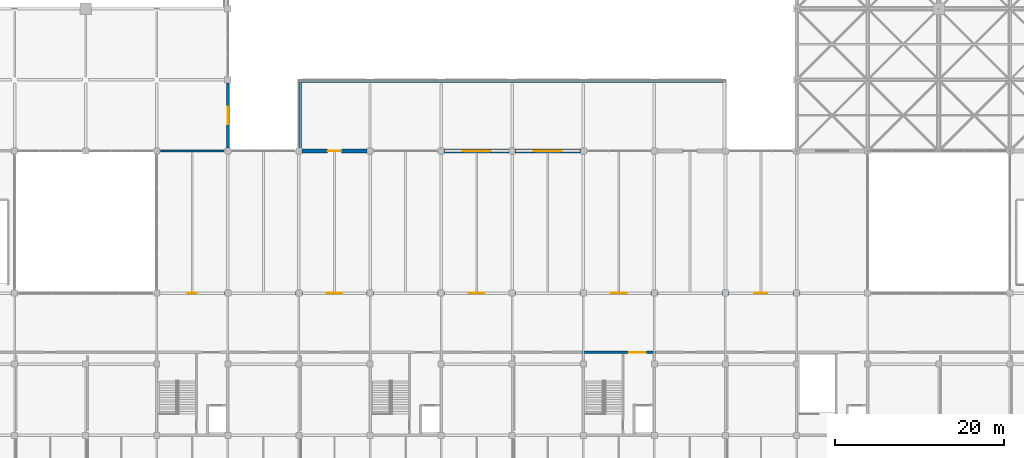
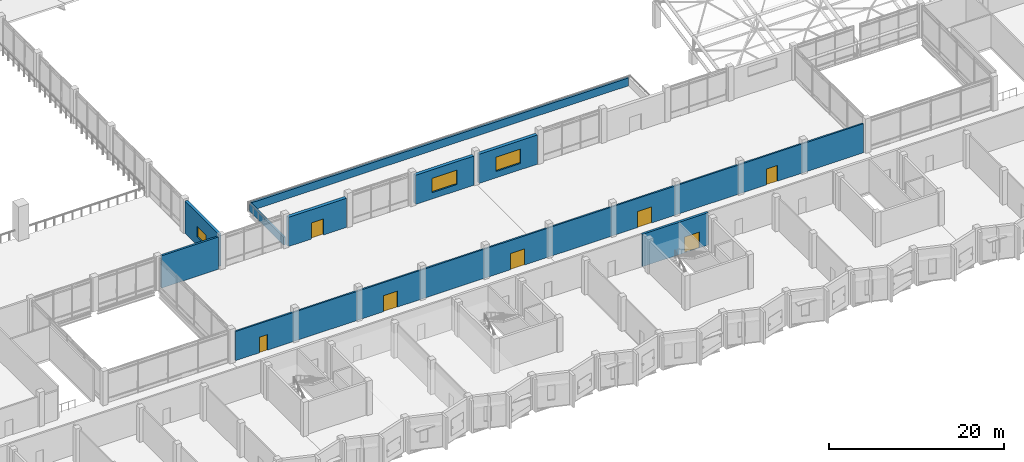
# One storey, part 87 of 110: 9 walls, 7 doors, 3 windows, 10 openings.
"""IFC4 building model written with IfcOpenShell, lengths in metres."""

from ifc_helpers import new_model, si_unit, direction, frame, frame_2d, origin, place, context, subcontext, project, spatial, rectangle, extrude, material, layer, layer_set, type_object, element, fill, save


model = new_model("IFC4")

# Units and contexts
model_context = context("Model", 3, precision=1e-05, world=origin(), true_north=direction((0.0, 1.0)))
body_context = subcontext(model_context, "Body", "Model", "MODEL_VIEW")
ifc_project = project(units=[si_unit("LENGTHUNIT", "METRE"), si_unit("AREAUNIT", "SQUARE_METRE"), si_unit("VOLUMEUNIT", "CUBIC_METRE"), si_unit("PLANEANGLEUNIT", "RADIAN"), si_unit("MASSUNIT", "GRAM", prefix="KILO")], contexts=[model_context])

# Site, building, storey
site_placement = place(None, origin())
site = spatial("IfcSite", under=ifc_project, at=site_placement, CompositionType="ELEMENT")
building_placement = place(site_placement, origin())
building = spatial("IfcBuilding", under=site, at=building_placement, Name="Qawsi Khor Wholesale Market", CompositionType="ELEMENT")
storey_placement = place(building_placement, frame((0.0, 0.0, 11.39990234375)))
storey = spatial("IfcBuildingStorey", under=building, at=storey_placement, Name="L02", CompositionType="ELEMENT", Elevation=11.39990234375)

# Wall, opening, door
ifc_material_1 = material(Name="Concrete C40/50", Category="concrete")
ifc_layer_1 = layer(ifc_material_1, 0.300048828125, Name="Concrete C40/50")
ifc_layer_set_1 = layer_set([ifc_layer_1], Name="Concrete C40/50")
wall_type_1 = type_object("IfcWallType", Name="Core Shear Wall RC 300 C40/50", PredefinedType="SHEAR", material=ifc_layer_set_1)
wall_1_placement = place(storey_placement, frame((117.449951171875, 18.199951171875, 0.0), z_axis=(0.0, 0.0, 1.0), x_axis=(1.0, 0.0, 0.0)))
wall_1 = element("IfcWall", 1, at=wall_1_placement, inside=storey, type_object=wall_type_1, Name="Core C04 north shear wall L02", PredefinedType="SHEAR", context=body_context, shape_type="SweptSolid", body=[
    extrude(rectangle(XDim=8.699951171875, YDim=0.300048828125, at=frame_2d((4.35009765625, 0.0))), origin(), (0.0, 0.0, 1.0), 4.52001953125),
])
opening_1_placement = place(wall_1_placement, frame((5.570068359375, 0.0, 0.0)))
opening_1 = element("IfcOpeningElement", 2, at=opening_1_placement, cuts=wall_1, Name="Opening ID-01", PredefinedType="OPENING", context=body_context, shape_type="SweptSolid", body=[
    extrude(rectangle(XDim=1.9599609375, YDim=2.199951171875, at=frame_2d((0.97998046875, 1.10009765625))), frame((0.0, 0.159912109375, 0.0), z_axis=(0.0, -1.0, 0.0), x_axis=(1.0, 0.0, 0.0)), (0.0, 0.0, 1.0), 0.320068359375),
])
ifc_material_2 = material(Name="Steel Fire Door", Category="steel")
door_type_1 = type_object("IfcDoorType", Name="Stair & Core Fire Door 1960x2200 FD90S", OperationType="NOTDEFINED", PredefinedType="DOOR", material=ifc_material_2)
door_1_placement = place(opening_1_placement, origin())
door_1 = element("IfcDoor", 3, at=door_1_placement, inside=storey, type_object=door_type_1, Name="Core C04 fire door L02", OperationType="DOUBLE_DOOR_SINGLE_SWING", OverallHeight=2.199951171875, OverallWidth=1.9599609375, PredefinedType="DOOR", context=body_context, shape_type="SweptSolid", body=[
    extrude(rectangle(XDim=1.9599609375, YDim=2.199951171875, at=frame_2d((0.97998046875, 1.10009765625))), frame((0.0, 0.02490234375, 0.0), z_axis=(0.0, -1.0, 0.0), x_axis=(1.0, 0.0, 0.0)), (0.0, 0.0, 1.0), 0.050048828125),
])
fill(opening_1, door_1)

# Wall, openings, doors
ifc_material_3 = material(Name="Gypsum Fireboard on Steel Stud", Category="steel")
ifc_layer_2 = layer(ifc_material_3, 0.2099609375, Name="Gypsum Fireboard on Steel Stud")
ifc_layer_set_2 = layer_set([ifc_layer_2], Name="Gypsum Fireboard on Steel Stud")
wall_type_2 = type_object("IfcWallType", Name="Corridor Fire Partition Wall 210", PredefinedType="PARTITIONING", material=ifc_layer_set_2)
wall_2_placement = place(storey_placement, frame((67.699951171875, 25.199951171875, 0.0), z_axis=(0.0, 0.0, 1.0), x_axis=(1.0, 0.0, 0.0)))
wall_2 = element("IfcWall", 4, at=wall_2_placement, inside=storey, type_object=wall_type_2, Name="PW-L02-095", PredefinedType="PARTITIONING", context=body_context, shape_type="SweptSolid", body=[
    extrude(rectangle(XDim=83.0, YDim=0.2099609375, at=frame_2d((41.5, 0.0))), origin(), (0.0, 0.0, 1.0), 4.080078125),
])
opening_2_placement = place(wall_2_placement, frame((3.169921875, 0.0, 0.0)))
opening_2 = element("IfcOpeningElement", 5, at=opening_2_placement, cuts=wall_2, Name="Opening ID-07", PredefinedType="OPENING", context=body_context, shape_type="SweptSolid", body=[
    extrude(rectangle(XDim=1.06005859375, YDim=2.179931640625, at=frame_2d((0.530029296875, 1.08984375))), frame((0.0, 0.114990234375, 0.0), z_axis=(0.0, -1.0, 0.0), x_axis=(1.0, 0.0, 0.0)), (0.0, 0.0, 1.0), 0.22998046875),
])
opening_3_placement = place(wall_2_placement, frame((19.574951171875, 0.0, 0.0)))
opening_3 = element("IfcOpeningElement", 6, at=opening_3_placement, cuts=wall_2, Name="Opening ID-09", PredefinedType="OPENING", context=body_context, shape_type="SweptSolid", body=[
    extrude(rectangle(XDim=1.85009765625, YDim=2.25, at=frame_2d((0.925048828125, 1.125))), frame((0.0, 0.114990234375, 0.0), z_axis=(0.0, -1.0, 0.0), x_axis=(1.0, 0.0, 0.0)), (0.0, 0.0, 1.0), 0.22998046875),
])
opening_4_placement = place(wall_2_placement, frame((36.375, 0.0, 0.0)))
opening_4 = element("IfcOpeningElement", 7, at=opening_4_placement, cuts=wall_2, Name="Opening ID-09", PredefinedType="OPENING", context=body_context, shape_type="SweptSolid", body=[
    extrude(rectangle(XDim=1.85009765625, YDim=2.25, at=frame_2d((0.925048828125, 1.125))), frame((0.0, 0.114990234375, 0.0), z_axis=(0.0, -1.0, 0.0), x_axis=(1.0, 0.0, 0.0)), (0.0, 0.0, 1.0), 0.22998046875),
])
opening_5_placement = place(wall_2_placement, frame((53.175048828125, 0.0, 0.0)))
opening_5 = element("IfcOpeningElement", 8, at=opening_5_placement, cuts=wall_2, Name="Opening ID-09", PredefinedType="OPENING", context=body_context, shape_type="SweptSolid", body=[
    extrude(rectangle(XDim=1.85009765625, YDim=2.25, at=frame_2d((0.925048828125, 1.125))), frame((0.0, 0.114990234375, 0.0), z_axis=(0.0, -1.0, 0.0), x_axis=(1.0, 0.0, 0.0)), (0.0, 0.0, 1.0), 0.22998046875),
])
opening_6_placement = place(wall_2_placement, frame((70.169921875, 0.0, 0.0)))
opening_6 = element("IfcOpeningElement", 9, at=opening_6_placement, cuts=wall_2, Name="Opening ID-10", PredefinedType="OPENING", context=body_context, shape_type="SweptSolid", body=[
    extrude(rectangle(XDim=1.4599609375, YDim=2.219970703125, at=frame_2d((0.72998046875, 1.10986328125))), frame((0.0, 0.114990234375, 0.0), z_axis=(0.0, -1.0, 0.0), x_axis=(1.0, 0.0, 0.0)), (0.0, 0.0, 1.0), 0.22998046875),
])
ifc_material_4 = material(Name="Glazed Hardwood", Category="wood")
door_type_2 = type_object("IfcDoorType", Name="Canteen Dining Double Door 1850x2250 FD60S", OperationType="NOTDEFINED", PredefinedType="DOOR", material=ifc_material_4)
door_2_placement = place(opening_3_placement, origin())
door_2 = element("IfcDoor", 10, at=door_2_placement, inside=storey, type_object=door_type_2, Name="Canteen Dining Double Door 1850x2250 FD60S L02-102", OperationType="DOUBLE_DOOR_SINGLE_SWING", OverallHeight=2.25, OverallWidth=1.85009765625, PredefinedType="DOOR", context=body_context, shape_type="SweptSolid", body=[
    extrude(rectangle(XDim=1.85009765625, YDim=2.25, at=frame_2d((0.925048828125, 1.125))), frame((0.0, 0.02490234375, 0.0), z_axis=(0.0, -1.0, 0.0), x_axis=(1.0, 0.0, 0.0)), (0.0, 0.0, 1.0), 0.050048828125),
])
fill(opening_3, door_2)
door_3_placement = place(opening_4_placement, origin())
door_3 = element("IfcDoor", 11, at=door_3_placement, inside=storey, type_object=door_type_2, Name="Canteen Dining Double Door 1850x2250 FD60S L02-103", OperationType="DOUBLE_DOOR_SINGLE_SWING", OverallHeight=2.25, OverallWidth=1.85009765625, PredefinedType="DOOR", context=body_context, shape_type="SweptSolid", body=[
    extrude(rectangle(XDim=1.85009765625, YDim=2.25, at=frame_2d((0.925048828125, 1.125))), frame((0.0, 0.02490234375, 0.0), z_axis=(0.0, -1.0, 0.0), x_axis=(1.0, 0.0, 0.0)), (0.0, 0.0, 1.0), 0.050048828125),
])
fill(opening_4, door_3)
door_4_placement = place(opening_5_placement, origin())
door_4 = element("IfcDoor", 12, at=door_4_placement, inside=storey, type_object=door_type_2, Name="Canteen Dining Double Door 1850x2250 FD60S L02-104", OperationType="DOUBLE_DOOR_SINGLE_SWING", OverallHeight=2.25, OverallWidth=1.85009765625, PredefinedType="DOOR", context=body_context, shape_type="SweptSolid", body=[
    extrude(rectangle(XDim=1.85009765625, YDim=2.25, at=frame_2d((0.925048828125, 1.125))), frame((0.0, 0.02490234375, 0.0), z_axis=(0.0, -1.0, 0.0), x_axis=(1.0, 0.0, 0.0)), (0.0, 0.0, 1.0), 0.050048828125),
])
fill(opening_5, door_4)
ifc_material_5 = material(Name="Hardwood Timber Veneer", Category="wood")
door_type_3 = type_object("IfcDoorType", Name="Clearinghouse Suite Door 1060x2180", OperationType="NOTDEFINED", PredefinedType="DOOR", material=ifc_material_5)
door_5_placement = place(opening_2_placement, origin())
door_5 = element("IfcDoor", 13, at=door_5_placement, inside=storey, type_object=door_type_3, Name="Clearinghouse Suite Door 1060x2180 L02-101", OperationType="SINGLE_SWING_LEFT", OverallHeight=2.179931640625, OverallWidth=1.06005859375, PredefinedType="DOOR", context=body_context, shape_type="SweptSolid", body=[
    extrude(rectangle(XDim=1.06005859375, YDim=2.179931640625, at=frame_2d((0.530029296875, 1.08984375))), frame((0.0, 0.02490234375, 0.0), z_axis=(0.0, -1.0, 0.0), x_axis=(1.0, 0.0, 0.0)), (0.0, 0.0, 1.0), 0.050048828125),
])
fill(opening_2, door_5)
ifc_material_6 = material(Name="Brushed Stainless Steel", Category="steel")
door_type_4 = type_object("IfcDoorType", Name="Commercial Kitchen Service Door 1460x2220 FD60S", OperationType="NOTDEFINED", PredefinedType="DOOR", material=ifc_material_6)
door_6_placement = place(opening_6_placement, origin())
door_6 = element("IfcDoor", 14, at=door_6_placement, inside=storey, type_object=door_type_4, Name="Commercial Kitchen Service Door 1460x2220 FD60S L02-105", OperationType="SINGLE_SWING_RIGHT", OverallHeight=2.219970703125, OverallWidth=1.4599609375, PredefinedType="DOOR", context=body_context, shape_type="SweptSolid", body=[
    extrude(rectangle(XDim=1.4599609375, YDim=2.219970703125, at=frame_2d((0.72998046875, 1.10986328125))), frame((0.0, 0.02490234375, 0.0), z_axis=(0.0, -1.0, 0.0), x_axis=(1.0, 0.0, 0.0)), (0.0, 0.0, 1.0), 0.050048828125),
])
fill(opening_6, door_6)

# Wall
ifc_material_7 = material(Name="Concrete Blockwork & Plaster", Category="masonry")
ifc_layer_3 = layer(ifc_material_7, 0.25, Name="Concrete Blockwork & Plaster")
ifc_layer_set_3 = layer_set([ifc_layer_3], Name="Concrete Blockwork & Plaster")
wall_type_3 = type_object("IfcWallType", Name="Fire Compartment Masonry Wall 250", PredefinedType="SOLIDWALL", material=ifc_layer_set_3)
wall_3_placement = place(storey_placement, frame((67.64990234375, 42.0, 0.0), z_axis=(0.0, 0.0, 1.0), x_axis=(1.0, 0.0, 0.0)))
element("IfcWall", 15, at=wall_3_placement, inside=storey, type_object=wall_type_3, Name="Grid F fire compartment wall L02-08", PredefinedType="SOLIDWALL", context=body_context, shape_type="SweptSolid", body=[
    extrude(rectangle(XDim=7.5, YDim=0.25, at=frame_2d((3.75, 0.0))), origin(), (0.0, 0.0, 1.0), 4.52001953125),
])

# Wall, opening, door
ifc_layer_4 = layer(ifc_material_1, 0.429931640625, Name="Concrete C40/50")
ifc_layer_set_4 = layer_set([ifc_layer_4], Name="Concrete C40/50")
wall_type_4 = type_object("IfcWallType", Name="Sculpted Ribbed Concrete Facade Wall 430", PredefinedType="SOLIDWALL", material=ifc_layer_set_4)
wall_4_placement = place(storey_placement, frame((84.35498046875, 42.0, 0.0), z_axis=(0.0, 0.0, 1.0), x_axis=(1.0, 0.0, 0.0)))
wall_4 = element("IfcWall", 16, at=wall_4_placement, inside=storey, type_object=wall_type_4, Name="EW-L02-SWN-10", PredefinedType="SOLIDWALL", context=body_context, shape_type="SweptSolid", body=[
    extrude(rectangle(XDim=7.68994140625, YDim=0.429931640625, at=frame_2d((3.844970703125, 0.0))), origin(), (0.0, 0.0, 1.0), 4.080078125),
])
opening_7_placement = place(wall_4_placement, frame((3.034912109375, 0.0, 0.0)))
opening_7 = element("IfcOpeningElement", 17, at=opening_7_placement, cuts=wall_4, Name="Opening ED-05", PredefinedType="OPENING", context=body_context, shape_type="SweptSolid", body=[
    extrude(rectangle(XDim=1.6201171875, YDim=2.260009765625, at=frame_2d((0.81005859375, 1.1298828125))), frame((0.0, 0.224853515625, 0.0), z_axis=(0.0, -1.0, 0.0), x_axis=(1.0, 0.0, 0.0)), (0.0, 0.0, 1.0), 0.449951171875),
])
ifc_material_8 = material(Name="Powder-Coated Galvanised Steel & Glazing", Category="steel")
door_type_5 = type_object("IfcDoorType", Name="Terrace Access Glazed Door 1620x2260", OperationType="NOTDEFINED", PredefinedType="DOOR", material=ifc_material_8)
door_7_placement = place(opening_7_placement, origin())
door_7 = element("IfcDoor", 18, at=door_7_placement, inside=storey, type_object=door_type_5, Name="Terrace door L02 Court Balcony 10", OperationType="DOUBLE_DOOR_SINGLE_SWING", OverallHeight=2.260009765625, OverallWidth=1.6201171875, PredefinedType="DOOR", context=body_context, shape_type="SweptSolid", body=[
    extrude(rectangle(XDim=1.6201171875, YDim=2.260009765625, at=frame_2d((0.81005859375, 1.1298828125))), frame((0.0, 0.02490234375, 0.0), z_axis=(0.0, -1.0, 0.0), x_axis=(1.0, 0.0, 0.0)), (0.0, 0.0, 1.0), 0.050048828125),
])
fill(opening_7, door_7)

# Wall, opening, window
wall_5_placement = place(storey_placement, frame((101.155029296875, 42.0, 0.0), z_axis=(0.0, 0.0, 1.0), x_axis=(1.0, 0.0, 0.0)))
wall_5 = element("IfcWall", 19, at=wall_5_placement, inside=storey, type_object=wall_type_4, Name="EW-L02-SWN-12", PredefinedType="SOLIDWALL", context=body_context, shape_type="SweptSolid", body=[
    extrude(rectangle(XDim=7.68994140625, YDim=0.429931640625, at=frame_2d((3.844970703125, 0.0))), origin(), (0.0, 0.0, 1.0), 4.080078125),
])
opening_8_placement = place(wall_5_placement, frame((2.195068359375, 0.0, 0.89990234375)))
opening_8 = element("IfcOpeningElement", 20, at=opening_8_placement, cuts=wall_5, Name="Opening W-11", PredefinedType="OPENING", context=body_context, shape_type="SweptSolid", body=[
    extrude(rectangle(XDim=3.300048828125, YDim=2.0, at=frame_2d((1.64990234375, 1.0))), frame((0.0, 0.224853515625, 0.0), z_axis=(0.0, -1.0, 0.0), x_axis=(1.0, 0.0, 0.0)), (0.0, 0.0, 1.0), 0.449951171875),
])
ifc_material_9 = material(Name="Thermally Broken Aluminium & Low-E Glass", Category="aluminium")
window_type_1 = type_object("IfcWindowType", Name="Win W-11 Canteen Terrace View 3300x2000", PartitioningType="SINGLE_PANEL", PredefinedType="WINDOW", material=ifc_material_9)
window_1_placement = place(opening_8_placement, origin())
window_1 = element("IfcWindow", 21, at=window_1_placement, inside=storey, type_object=window_type_1, Name="Win W-11 Canteen Terrace View 3300x2000 135", OverallHeight=2.0, OverallWidth=3.300048828125, PartitioningType="SINGLE_PANEL", PredefinedType="WINDOW", context=body_context, shape_type="SweptSolid", body=[
    extrude(rectangle(XDim=3.300048828125, YDim=2.0, at=frame_2d((1.64990234375, 1.0))), frame((0.0, 0.030029296875, 0.0), z_axis=(0.0, -1.0, 0.0), x_axis=(1.0, 0.0, 0.0)), (0.0, 0.0, 1.0), 0.06005859375),
])
fill(opening_8, window_1)

wall_6_placement = place(storey_placement, frame((109.554931640625, 42.0, 0.0), z_axis=(0.0, 0.0, 1.0), x_axis=(1.0, 0.0, 0.0)))
wall_6 = element("IfcWall", 22, at=wall_6_placement, inside=storey, type_object=wall_type_4, Name="EW-L02-SWN-13", PredefinedType="SOLIDWALL", context=body_context, shape_type="SweptSolid", body=[
    extrude(rectangle(XDim=7.690185546875, YDim=0.429931640625, at=frame_2d((3.84521484375, 0.0))), origin(), (0.0, 0.0, 1.0), 4.080078125),
])
opening_9_placement = place(wall_6_placement, frame((2.195068359375, 0.0, 0.89990234375)))
opening_9 = element("IfcOpeningElement", 23, at=opening_9_placement, cuts=wall_6, Name="Opening W-11", PredefinedType="OPENING", context=body_context, shape_type="SweptSolid", body=[
    extrude(rectangle(XDim=3.300048828125, YDim=2.0, at=frame_2d((1.64990234375, 1.0))), frame((0.0, 0.224853515625, 0.0), z_axis=(0.0, -1.0, 0.0), x_axis=(1.0, 0.0, 0.0)), (0.0, 0.0, 1.0), 0.449951171875),
])
window_2_placement = place(opening_9_placement, origin())
window_2 = element("IfcWindow", 24, at=window_2_placement, inside=storey, type_object=window_type_1, Name="Win W-11 Canteen Terrace View 3300x2000 136", OverallHeight=2.0, OverallWidth=3.300048828125, PartitioningType="SINGLE_PANEL", PredefinedType="WINDOW", context=body_context, shape_type="SweptSolid", body=[
    extrude(rectangle(XDim=3.300048828125, YDim=2.0, at=frame_2d((1.64990234375, 1.0))), frame((0.0, 0.030029296875, 0.0), z_axis=(0.0, -1.0, 0.0), x_axis=(1.0, 0.0, 0.0)), (0.0, 0.0, 1.0), 0.06005859375),
])
fill(opening_9, window_2)

# Walls
ifc_layer_5 = layer(ifc_material_1, 0.27001953125, Name="Concrete C40/50")
ifc_layer_set_5 = layer_set([ifc_layer_5], Name="Concrete C40/50")
wall_type_5 = type_object("IfcWallType", Name="Terrace Parapet Upstand Wall 270", PredefinedType="PARAPET", material=ifc_layer_set_5)
wall_7_placement = place(storey_placement, frame((84.14990234375, 42.300048828125, 0.0), z_axis=(0.0, 0.0, 1.0), x_axis=(0.0, 1.0, 0.0)))
element("IfcWall", 25, at=wall_7_placement, inside=storey, type_object=wall_type_5, Name="Roof parapet PRP-L02-TER-W", PredefinedType="PARAPET", context=body_context, shape_type="SweptSolid", body=[
    extrude(rectangle(XDim=7.800048828125, YDim=0.27001953125, at=frame_2d((3.89990234375, 0.0))), origin(), (0.0, 0.0, 1.0), 1.10009765625),
])
wall_8_placement = place(storey_placement, frame((84.300048828125, 50.25, 0.0), z_axis=(0.0, 0.0, 1.0), x_axis=(1.0, 0.0, 0.0)))
element("IfcWall", 26, at=wall_8_placement, inside=storey, type_object=wall_type_5, Name="Roof parapet PRP-L02-TER-N", PredefinedType="PARAPET", context=body_context, shape_type="SweptSolid", body=[
    extrude(rectangle(XDim=49.800048828125, YDim=0.27001953125, at=frame_2d((24.89990234375, 0.0))), origin(), (0.0, 0.0, 1.0), 1.10009765625),
])

# Wall, opening, window
ifc_layer_6 = layer(ifc_material_1, 0.35009765625, Name="Concrete C40/50")
ifc_layer_set_6 = layer_set([ifc_layer_6], Name="Concrete C40/50")
wall_type_6 = type_object("IfcWallType", Name="Trading Hall Precast Concrete Wall 350", PredefinedType="SOLIDWALL", material=ifc_layer_set_6)
wall_9_placement = place(storey_placement, frame((75.60009765625, 50.02001953125, 0.0), z_axis=(0.0, 0.0, 1.0), x_axis=(0.0, -1.0, 0.0)))
wall_9 = element("IfcWall", 27, at=wall_9_placement, inside=storey, type_object=wall_type_6, Name="EW-L02-WHE-05", PredefinedType="SOLIDWALL", context=body_context, shape_type="SweptSolid", body=[
    extrude(rectangle(XDim=7.6650390625, YDim=0.35009765625, at=frame_2d((3.83251953125, 0.0))), origin(), (0.0, 0.0, 1.0), 4.52001953125),
])
opening_10_placement = place(wall_9_placement, frame((2.77001953125, 0.0, 1.199951171875)))
opening_10 = element("IfcOpeningElement", 28, at=opening_10_placement, cuts=wall_9, Name="Opening W-07", PredefinedType="OPENING", context=body_context, shape_type="SweptSolid", body=[
    extrude(rectangle(XDim=2.10009765625, YDim=1.449951171875, at=frame_2d((1.050048828125, 0.72509765625))), frame((0.0, 0.18505859375, 0.0), z_axis=(0.0, -1.0, 0.0), x_axis=(1.0, 0.0, 0.0)), (0.0, 0.0, 1.0), 0.3701171875),
])
window_type_2 = type_object("IfcWindowType", Name="Win W-07 Laboratory Sealed 2100x1450", PartitioningType="SINGLE_PANEL", PredefinedType="WINDOW", material=ifc_material_9)
window_3_placement = place(opening_10_placement, origin())
window_3 = element("IfcWindow", 29, at=window_3_placement, inside=storey, type_object=window_type_2, Name="Win W-07 Laboratory Sealed 2100x1450 179", OverallHeight=1.449951171875, OverallWidth=2.10009765625, PartitioningType="SINGLE_PANEL", PredefinedType="WINDOW", context=body_context, shape_type="SweptSolid", body=[
    extrude(rectangle(XDim=2.10009765625, YDim=1.449951171875, at=frame_2d((1.050048828125, 0.72509765625))), frame((0.0, 0.030029296875, 0.0), z_axis=(0.0, -1.0, 0.0), x_axis=(1.0, 0.0, 0.0)), (0.0, 0.0, 1.0), 0.06005859375),
])
fill(opening_10, window_3)

save(model, "model.ifc")
